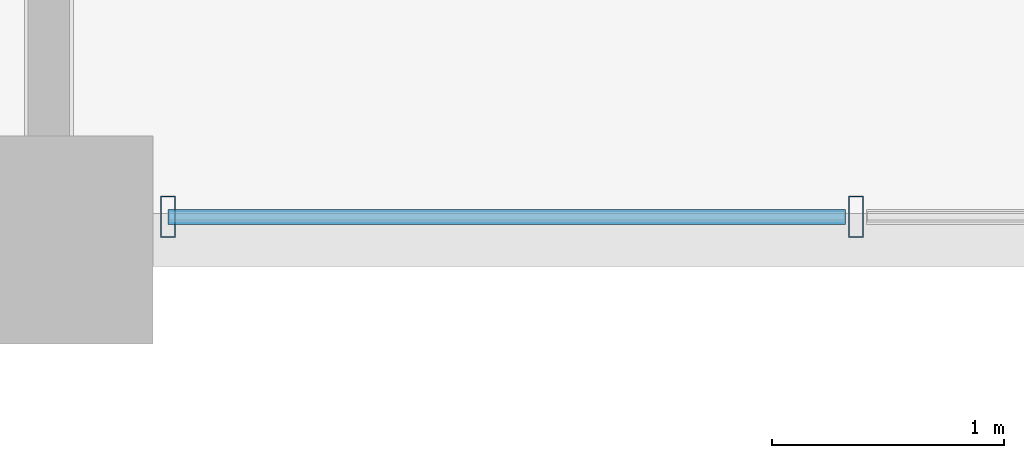
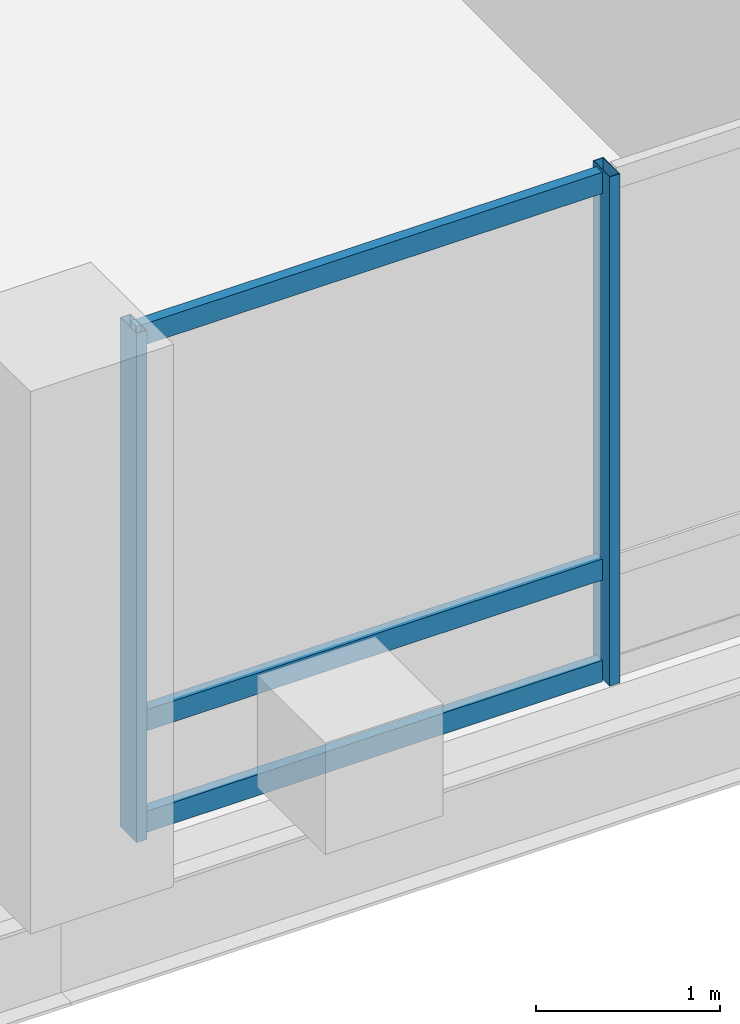
# One storey, part 2 of 21: 5 members, 1 element without a shape of its own.
"""IFC4 building model written with IfcOpenShell, lengths in metres."""

from ifc_helpers import new_model, si_unit, direction, frame, origin, origin_2d, place, context, subcontext, project, spatial, hollow_rectangle, extrude, material, layer, layer_set, material_profile, profile_set, type_object, element, aggregate, save


model = new_model("IFC4")

# Units and contexts
model_context = context("Model", 3, precision=1e-05, world=origin(), true_north=direction((0.0, 1.0)))
body_context = subcontext(model_context, "Body", "Model", "MODEL_VIEW")
ifc_project = project(units=[si_unit("LENGTHUNIT", "METRE"), si_unit("AREAUNIT", "SQUARE_METRE"), si_unit("VOLUMEUNIT", "CUBIC_METRE"), si_unit("PLANEANGLEUNIT", "RADIAN"), si_unit("MASSUNIT", "GRAM", prefix="KILO")], contexts=[model_context])

# Site, building, storey
site_placement = place(None, origin())
site = spatial("IfcSite", under=ifc_project, at=site_placement, CompositionType="ELEMENT")
building_placement = place(site_placement, origin())
building = spatial("IfcBuilding", under=site, at=building_placement, Name="Barlavira Tower and Art Museum", CompositionType="ELEMENT")
storey_placement = place(building_placement, frame((0.0, 0.0, 276.300048828125)))
storey = spatial("IfcBuildingStorey", under=building, at=storey_placement, Name="L72", CompositionType="ELEMENT", Elevation=276.300048828125)

# Curtain wall, members
ifc_material_1 = material(Name="Low-iron coastal laminated glass", Category="glass")
ifc_layer = layer(ifc_material_1, 0.2099609375, Name="Low-iron coastal laminated glass")
ifc_layer_set = layer_set([ifc_layer], Name="Low-iron coastal laminated glass")
curtain_wall_type = type_object("IfcCurtainWallType", Name="Pale-Metal Unitised Curtain Wall Zone 4", PredefinedType="NOTDEFINED", material=ifc_layer_set)
curtain_wall_placement = place(storey_placement, origin())
curtain_wall = element("IfcCurtainWall", 1, at=curtain_wall_placement, inside=storey, type_object=curtain_wall_type, Name="L72 Curtain Wall CW4-L72-S-B2", PredefinedType="NOTDEFINED")
ifc_material_2 = material(Name="Pale anodised aluminium", Category="aluminium")
ifc_material_profile_1 = material_profile(ifc_material_2, hollow_rectangle(XDim=0.06494140625, YDim=0.179931640625, WallThickness=0.00390625, at=origin_2d()), Name="ALU-MULL 65x180x4")
ifc_profile_set_1 = profile_set([ifc_material_profile_1], Name="Pale anodised aluminium")
member_type_1 = type_object("IfcMemberType", Name="Curtain Wall Pale-Metal Mullion 65x180", PredefinedType="MULLION", material=ifc_profile_set_1)
member_1_placement = place(storey_placement, frame((-5.985107421875, -19.89990234375, 0.0), z_axis=(0.0, 0.0, 1.0), x_axis=(1.0, 0.0, 0.0)))
member_1 = element("IfcMember", 2, at=member_1_placement, type_object=member_type_1, Name="CW4-L72-S-B2 Mullion 0", PredefinedType="MULLION", context=body_context, shape_type="SweptSolid", body=[
    extrude(hollow_rectangle(XDim=0.06494140625, YDim=0.179931640625, WallThickness=0.00390625, at=origin_2d()), origin(), (0.0, 0.0, 1.0), 3.3798828125),
])
member_2_placement = place(storey_placement, frame((-3.014892578125, -19.89990234375, 0.0), z_axis=(0.0, 0.0, 1.0), x_axis=(1.0, 0.0, 0.0)))
member_2 = element("IfcMember", 3, at=member_2_placement, type_object=member_type_1, Name="CW4-L72-S-B2 Mullion 1", PredefinedType="MULLION", context=body_context, shape_type="SweptSolid", body=[
    extrude(hollow_rectangle(XDim=0.06494140625, YDim=0.179931640625, WallThickness=0.00390625, at=origin_2d()), origin(), (0.0, 0.0, 1.0), 3.3798828125),
])
ifc_material_profile_2 = material_profile(ifc_material_2, hollow_rectangle(XDim=0.06494140625, YDim=0.139892578125, WallThickness=0.00390625, at=origin_2d()), Name="ALU-TRAN 65x140x4")
ifc_profile_set_2 = profile_set([ifc_material_profile_2], Name="Pale anodised aluminium")
member_type_2 = type_object("IfcMemberType", Name="Curtain Wall Pale-Metal Transom 65x140", PredefinedType="USERDEFINED", material=ifc_profile_set_2)
member_3_placement = place(storey_placement, frame((-5.985107421875, -19.89990234375, 0.070068359375), z_axis=(1.0, 0.0, 0.0), x_axis=(0.0, 1.0, 0.0)))
member_3 = element("IfcMember", 4, at=member_3_placement, type_object=member_type_2, Name="CW4-L72-S-B2 Transom 0.1", ObjectType="TRANSOM", PredefinedType="USERDEFINED", context=body_context, shape_type="SweptSolid", body=[
    extrude(hollow_rectangle(XDim=0.06494140625, YDim=0.139892578125, WallThickness=0.00390625, at=origin_2d()), origin(), (0.0, 0.0, 1.0), 2.925048828125),
])
member_4_placement = place(storey_placement, frame((-5.985107421875, -19.89990234375, 0.743896484375), z_axis=(1.0, 0.0, 0.0), x_axis=(0.0, 1.0, 0.0)))
member_4 = element("IfcMember", 5, at=member_4_placement, type_object=member_type_2, Name="CW4-L72-S-B2 Transom 0.2", ObjectType="TRANSOM", PredefinedType="USERDEFINED", context=body_context, shape_type="SweptSolid", body=[
    extrude(hollow_rectangle(XDim=0.06494140625, YDim=0.139892578125, WallThickness=0.00390625, at=origin_2d()), origin(), (0.0, 0.0, 1.0), 2.925048828125),
])
member_5_placement = place(storey_placement, frame((-5.985107421875, -19.89990234375, 3.31005859375), z_axis=(1.0, 0.0, 0.0), x_axis=(0.0, 1.0, 0.0)))
member_5 = element("IfcMember", 6, at=member_5_placement, type_object=member_type_2, Name="CW4-L72-S-B2 Transom 0.3", ObjectType="TRANSOM", PredefinedType="USERDEFINED", context=body_context, shape_type="SweptSolid", body=[
    extrude(hollow_rectangle(XDim=0.06494140625, YDim=0.139892578125, WallThickness=0.00390625, at=origin_2d()), origin(), (0.0, 0.0, 1.0), 2.925048828125),
])
aggregate(curtain_wall, [member_1, member_2, member_3, member_4, member_5])

save(model, "model.ifc")
